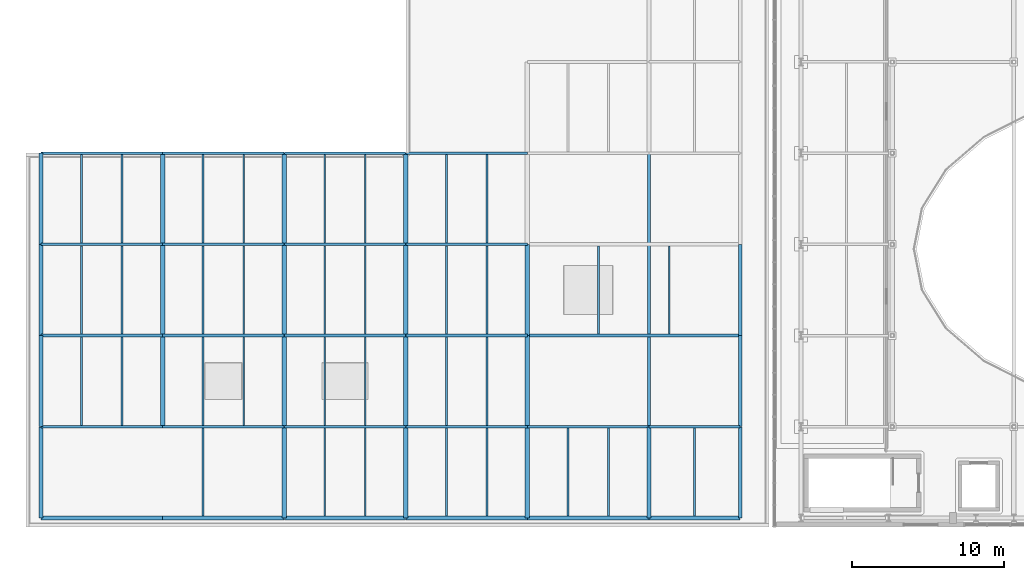
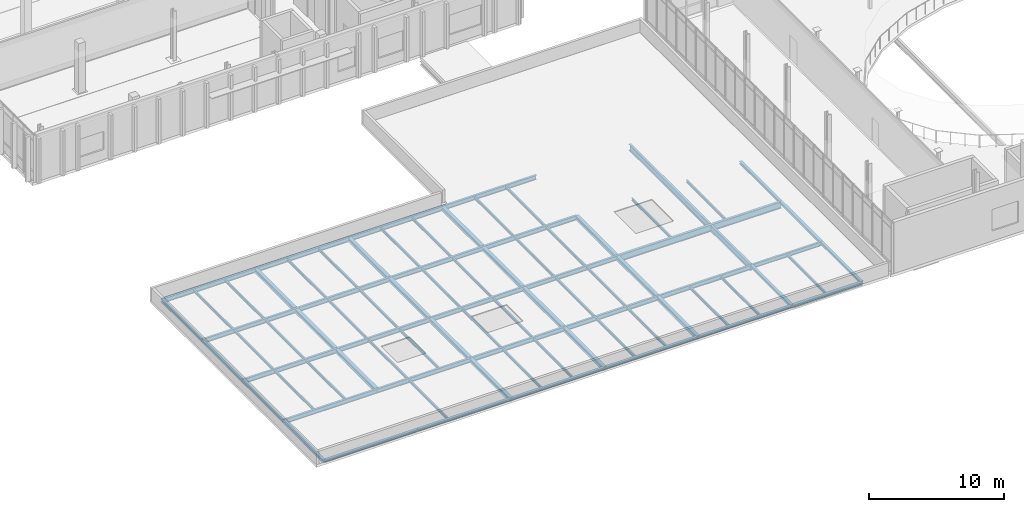
# One storey, part 12 of 86: 82 beams.
"""IFC4 building model written with IfcOpenShell, lengths in metres."""

from ifc_helpers import new_model, si_unit, direction, frame, origin, origin_2d, place, context, subcontext, project, spatial, i_section, extrude, material, material_profile, profile_set, type_object, element, save


model = new_model("IFC4")

# Units and contexts
model_context = context("Model", 3, precision=1e-05, world=origin(), true_north=direction((0.0, 1.0)))
body_context = subcontext(model_context, "Body", "Model", "MODEL_VIEW")
ifc_project = project(units=[si_unit("LENGTHUNIT", "METRE"), si_unit("AREAUNIT", "SQUARE_METRE"), si_unit("VOLUMEUNIT", "CUBIC_METRE"), si_unit("PLANEANGLEUNIT", "RADIAN"), si_unit("MASSUNIT", "GRAM", prefix="KILO")], contexts=[model_context])

# Site, building, storey
site_placement = place(None, origin())
site = spatial("IfcSite", under=ifc_project, at=site_placement, CompositionType="ELEMENT")
building_placement = place(site_placement, origin())
building = spatial("IfcBuilding", under=site, at=building_placement, Name="Cymarion Research Institute", CompositionType="ELEMENT")
storey_placement = place(building_placement, frame((0.0, 0.0, 13.800048828125)))
storey = spatial("IfcBuildingStorey", under=building, at=storey_placement, Name="L03", CompositionType="ELEMENT", Elevation=13.800048828125)

# Beams
ifc_material = material(Name="Steel S355", Category="steel")
ifc_material_profile_1 = material_profile(ifc_material, i_section(OverallWidth=0.219970703125, OverallDepth=0.60009765625, WebThickness=0.011962890625, FlangeThickness=0.01904296875, FilletRadius=0.02392578125, at=origin_2d()), Name="IPE 600")
ifc_profile_set_1 = profile_set([ifc_material_profile_1], Name="Steel S355")
beam_type_1 = type_object("IfcBeamType", Name="PRIMARY GIRDER BM01 IPE 600", PredefinedType="BEAM", material=ifc_profile_set_1)
beam_1_placement = place(storey_placement, frame((38.60595703125, 17.5, -0.5400390625), z_axis=(1.0, 0.0, 0.0), x_axis=(0.0, 1.0, 0.0)))
element("IfcBeam", 1, at=beam_1_placement, inside=storey, type_object=beam_type_1, Name="L03 V3 girder BM01 #1363", PredefinedType="BEAM", context=body_context, shape_type="SweptSolid", body=[
    extrude(i_section(OverallWidth=0.219970703125, OverallDepth=0.60009765625, WebThickness=0.011962890625, FlangeThickness=0.01904296875, FilletRadius=0.02392578125, at=origin_2d()), origin(), (0.0, 0.0, 1.0), 13.988037109375),
])
ifc_material_profile_2 = material_profile(ifc_material, i_section(OverallWidth=0.2099609375, OverallDepth=0.550048828125, WebThickness=0.010986328125, FlangeThickness=0.01708984375, FilletRadius=0.02392578125, at=origin_2d()), Name="IPE 550")
ifc_profile_set_2 = profile_set([ifc_material_profile_2], Name="Steel S355")
beam_type_2 = type_object("IfcBeamType", Name="PRIMARY GIRDER BM02 IPE 550", PredefinedType="BEAM", material=ifc_profile_set_2)
beam_2_placement = place(storey_placement, frame((46.60009765625, 11.506103515625, -0.51513671875), z_axis=(0.0, 1.0, 0.0), x_axis=(-1.0, 0.0, 0.0)))
element("IfcBeam", 2, at=beam_2_placement, inside=storey, type_object=beam_type_2, Name="L03 V3 girder BM02 #1404", PredefinedType="BEAM", context=body_context, shape_type="SweptSolid", body=[
    extrude(i_section(OverallWidth=0.2099609375, OverallDepth=0.550048828125, WebThickness=0.010986328125, FlangeThickness=0.01708984375, FilletRadius=0.02392578125, at=origin_2d()), origin(), (0.0, 0.0, 1.0), 17.98779296875),
])
ifc_material_profile_3 = material_profile(ifc_material, i_section(OverallWidth=0.179931640625, OverallDepth=0.39990234375, WebThickness=0.008544921875, FlangeThickness=0.013427734375, FilletRadius=0.02099609375, at=origin_2d()), Name="IPE 400")
ifc_profile_set_3 = profile_set([ifc_material_profile_3], Name="Steel S355")
beam_type_3 = type_object("IfcBeamType", Name="PRIMARY GIRDER BM05 IPE 400", PredefinedType="BEAM", material=ifc_profile_set_3)
for number, where, z_axis, x_axis, name in (
    (3, (6.60595703125, 11.5, -0.43994140625), (1.0, 0.0, 0.0), (0.0, 1.0, 0.0), "L03 V3 girder BM05 #1353"),
    (4, (14.60595703125, 11.5, -0.43994140625), (1.0, 0.0, 0.0), (0.0, 1.0, 0.0), "L03 V3 girder BM05 #1354"),
    (5, (22.60595703125, 11.5, -0.43994140625), (1.0, 0.0, 0.0), (0.0, 1.0, 0.0), "L03 V3 girder BM05 #1355"),
    (6, (30.60595703125, 11.5, -0.43994140625), (1.0, 0.0, 0.0), (0.0, 1.0, 0.0), "L03 V3 girder BM05 #1356"),
    (7, (38.60595703125, 11.5, -0.43994140625), (1.0, 0.0, 0.0), (0.0, 1.0, 0.0), "L03 V3 girder BM05 #1357"),
    (8, (6.60595703125, 17.5, -0.43994140625), (1.0, 0.0, 0.0), (0.0, 1.0, 0.0), "L03 V3 girder BM05 #1359"),
    (9, (14.60595703125, 17.5, -0.43994140625), (1.0, 0.0, 0.0), (0.0, 1.0, 0.0), "L03 V3 girder BM05 #1360"),
    (10, (22.60595703125, 17.5, -0.43994140625), (1.0, 0.0, 0.0), (0.0, 1.0, 0.0), "L03 V3 girder BM05 #1361"),
    (11, (30.60595703125, 17.5, -0.43994140625), (1.0, 0.0, 0.0), (0.0, 1.0, 0.0), "L03 V3 girder BM05 #1362"),
    (12, (6.60595703125, 23.5, -0.43994140625), (1.0, 0.0, 0.0), (0.0, 1.0, 0.0), "L03 V3 girder BM05 #1364"),
    (13, (14.60595703125, 23.5, -0.43994140625), (1.0, 0.0, 0.0), (0.0, 1.0, 0.0), "L03 V3 girder BM05 #1365"),
    (14, (22.60595703125, 23.5, -0.43994140625), (1.0, 0.0, 0.0), (0.0, 1.0, 0.0), "L03 V3 girder BM05 #1366"),
    (15, (30.60595703125, 23.5, -0.43994140625), (1.0, 0.0, 0.0), (0.0, 1.0, 0.0), "L03 V3 girder BM05 #1367"),
    (16, (6.60595703125, 29.5, -0.43994140625), (1.0, 0.0, 0.0), (0.0, 1.0, 0.0), "L03 V3 girder BM05 #1369"),
    (17, (14.60595703125, 29.5, -0.43994140625), (1.0, 0.0, 0.0), (0.0, 1.0, 0.0), "L03 V3 girder BM05 #1370"),
    (18, (22.60595703125, 29.5, -0.43994140625), (1.0, 0.0, 0.0), (0.0, 1.0, 0.0), "L03 V3 girder BM05 #1371"),
    (19, (30.60595703125, 29.5, -0.43994140625), (1.0, 0.0, 0.0), (0.0, 1.0, 0.0), "L03 V3 girder BM05 #1372"),
):
    element("IfcBeam", number, at=place(storey_placement, frame(where, z_axis=z_axis, x_axis=x_axis)), inside=storey, type_object=beam_type_3, Name=name, PredefinedType="BEAM", context=body_context, shape_type="SweptSolid", body=[
        extrude(i_section(OverallWidth=0.179931640625, OverallDepth=0.39990234375, WebThickness=0.008544921875, FlangeThickness=0.013427734375, FilletRadius=0.02099609375, at=origin_2d()), origin(), (0.0, 0.0, 1.0), 7.988037109375),
    ])
ifc_material_profile_4 = material_profile(ifc_material, i_section(OverallWidth=0.169921875, OverallDepth=0.360107421875, WebThickness=0.008056640625, FlangeThickness=0.0126953125, FilletRadius=0.01806640625, at=origin_2d()), Name="IPE 360")
ifc_profile_set_4 = profile_set([ifc_material_profile_4], Name="Steel S355")
beam_type_4 = type_object("IfcBeamType", Name="PRIMARY GIRDER BM06 IPE 360", PredefinedType="BEAM", material=ifc_profile_set_4)
beam_3_placement = place(storey_placement, frame((46.60595703125, 11.5, -0.420166015625), z_axis=(1.0, 0.0, 0.0), x_axis=(0.0, 1.0, 0.0)))
element("IfcBeam", 20, at=beam_3_placement, inside=storey, type_object=beam_type_4, Name="L03 V3 girder BM06 #1358", PredefinedType="BEAM", context=body_context, shape_type="SweptSolid", body=[
    extrude(i_section(OverallWidth=0.169921875, OverallDepth=0.360107421875, WebThickness=0.008056640625, FlangeThickness=0.0126953125, FilletRadius=0.01806640625, at=origin_2d()), origin(), (0.0, 0.0, 1.0), 5.988037109375),
])
ifc_material_profile_5 = material_profile(ifc_material, i_section(OverallWidth=0.300048828125, OverallDepth=0.35009765625, WebThickness=0.010009765625, FlangeThickness=0.017578125, FilletRadius=0.027099609375, at=origin_2d()), Name="HEA 360")
ifc_profile_set_5 = profile_set([ifc_material_profile_5], Name="Steel S355")
beam_type_5 = type_object("IfcBeamType", Name="PRIMARY GIRDER BM12 HEA 360", PredefinedType="BEAM", material=ifc_profile_set_5)
for number, where, z_axis, x_axis, name in (
    (21, (14.60009765625, 11.506103515625, -0.4150390625), (0.0, 1.0, 0.0), (-1.0, 0.0, 0.0), "L03 V3 girder BM12 #1385"),
    (22, (14.60009765625, 17.506103515625, -0.4150390625), (0.0, 1.0, 0.0), (-1.0, 0.0, 0.0), "L03 V3 girder BM12 #1386"),
    (23, (14.60009765625, 23.506103515625, -0.4150390625), (0.0, 1.0, 0.0), (-1.0, 0.0, 0.0), "L03 V3 girder BM12 #1387"),
    (24, (22.60009765625, 5.506103515625, -0.4150390625), (0.0, 1.0, 0.0), (-1.0, 0.0, 0.0), "L03 V3 girder BM12 #1388"),
    (25, (22.60009765625, 11.506103515625, -0.4150390625), (0.0, 1.0, 0.0), (-1.0, 0.0, 0.0), "L03 V3 girder BM12 #1389"),
    (26, (22.60009765625, 17.506103515625, -0.4150390625), (0.0, 1.0, 0.0), (-1.0, 0.0, 0.0), "L03 V3 girder BM12 #1390"),
    (27, (22.60009765625, 23.506103515625, -0.4150390625), (0.0, 1.0, 0.0), (-1.0, 0.0, 0.0), "L03 V3 girder BM12 #1391"),
    (28, (30.60009765625, 5.506103515625, -0.4150390625), (0.0, 1.0, 0.0), (-1.0, 0.0, 0.0), "L03 V3 girder BM12 #1392"),
    (29, (30.60009765625, 11.506103515625, -0.4150390625), (0.0, 1.0, 0.0), (-1.0, 0.0, 0.0), "L03 V3 girder BM12 #1393"),
    (30, (30.60009765625, 17.506103515625, -0.4150390625), (0.0, 1.0, 0.0), (-1.0, 0.0, 0.0), "L03 V3 girder BM12 #1394"),
    (31, (30.60009765625, 23.506103515625, -0.4150390625), (0.0, 1.0, 0.0), (-1.0, 0.0, 0.0), "L03 V3 girder BM12 #1395"),
    (32, (38.60009765625, 5.506103515625, -0.4150390625), (0.0, 1.0, 0.0), (-1.0, 0.0, 0.0), "L03 V3 girder BM12 #1396"),
    (33, (38.60009765625, 11.506103515625, -0.4150390625), (0.0, 1.0, 0.0), (-1.0, 0.0, 0.0), "L03 V3 girder BM12 #1397"),
    (34, (38.60009765625, 17.506103515625, -0.4150390625), (0.0, 1.0, 0.0), (-1.0, 0.0, 0.0), "L03 V3 girder BM12 #1398"),
):
    element("IfcBeam", number, at=place(storey_placement, frame(where, z_axis=z_axis, x_axis=x_axis)), inside=storey, type_object=beam_type_5, Name=name, PredefinedType="BEAM", context=body_context, shape_type="SweptSolid", body=[
        extrude(i_section(OverallWidth=0.300048828125, OverallDepth=0.35009765625, WebThickness=0.010009765625, FlangeThickness=0.017578125, FilletRadius=0.027099609375, at=origin_2d()), origin(), (0.0, 0.0, 1.0), 5.98779296875),
    ])
ifc_material_profile_6 = material_profile(ifc_material, i_section(OverallWidth=0.1201171875, OverallDepth=0.239990234375, WebThickness=0.006103515625, FlangeThickness=0.009765625, FilletRadius=0.014892578125, at=origin_2d()), Name="IPE 240")
ifc_profile_set_6 = profile_set([ifc_material_profile_6], Name="Steel S355")
beam_type_6 = type_object("IfcBeamType", Name="SECONDARY JOIST JS04 IPE 240", PredefinedType="JOIST", material=ifc_profile_set_6)
for number, where, z_axis, x_axis, name in (
    (35, (17.2666015625, 5.6240234375, -0.360107421875), (0.0, 1.0, 0.0), (-1.0, 0.0, 0.0), "L03 V3 secondary joist JS04 #1413"),
    (36, (25.2666015625, 5.6240234375, -0.360107421875), (0.0, 1.0, 0.0), (-1.0, 0.0, 0.0), "L03 V3 secondary joist JS04 #1414"),
    (37, (27.933349609375, 5.6240234375, -0.360107421875), (0.0, 1.0, 0.0), (-1.0, 0.0, 0.0), "L03 V3 secondary joist JS04 #1415"),
    (38, (33.2666015625, 5.6240234375, -0.360107421875), (0.0, 1.0, 0.0), (-1.0, 0.0, 0.0), "L03 V3 secondary joist JS04 #1416"),
    (39, (35.933349609375, 5.6240234375, -0.360107421875), (0.0, 1.0, 0.0), (-1.0, 0.0, 0.0), "L03 V3 secondary joist JS04 #1417"),
    (40, (41.2666015625, 5.6240234375, -0.360107421875), (0.0, 1.0, 0.0), (-1.0, 0.0, 0.0), "L03 V3 secondary joist JS04 #1418"),
    (41, (43.933349609375, 5.6240234375, -0.360107421875), (0.0, 1.0, 0.0), (-1.0, 0.0, 0.0), "L03 V3 secondary joist JS04 #1419"),
):
    element("IfcBeam", number, at=place(storey_placement, frame(where, z_axis=z_axis, x_axis=x_axis)), inside=storey, type_object=beam_type_6, Name=name, PredefinedType="JOIST", context=body_context, shape_type="SweptSolid", body=[
        extrude(i_section(OverallWidth=0.1201171875, OverallDepth=0.239990234375, WebThickness=0.006103515625, FlangeThickness=0.009765625, FilletRadius=0.014892578125, at=origin_2d()), origin(), (0.0, 0.0, 1.0), 5.781982421875),
    ])
beam_4_placement = place(storey_placement, frame((49.60009765625, 5.64404296875, -0.360107421875), z_axis=(0.0, 1.0, 0.0), x_axis=(-1.0, 0.0, 0.0)))
element("IfcBeam", 42, at=beam_4_placement, inside=storey, type_object=beam_type_6, Name="L03 V3 secondary joist JS04 #1420", PredefinedType="JOIST", context=body_context, shape_type="SweptSolid", body=[
    extrude(i_section(OverallWidth=0.1201171875, OverallDepth=0.239990234375, WebThickness=0.006103515625, FlangeThickness=0.009765625, FilletRadius=0.014892578125, at=origin_2d()), origin(), (0.0, 0.0, 1.0), 5.766845703125),
])
for number, where, z_axis, x_axis, name in (
    (43, (9.2666015625, 11.593994140625, -0.360107421875), (0.0, 1.0, 0.0), (-1.0, 0.0, 0.0), "L03 V3 secondary joist JS04 #1421"),
    (44, (11.933349609375, 11.593994140625, -0.360107421875), (0.0, 1.0, 0.0), (-1.0, 0.0, 0.0), "L03 V3 secondary joist JS04 #1422"),
    (45, (17.2666015625, 11.593994140625, -0.360107421875), (0.0, 1.0, 0.0), (-1.0, 0.0, 0.0), "L03 V3 secondary joist JS04 #1423"),
    (46, (19.933349609375, 11.593994140625, -0.360107421875), (0.0, 1.0, 0.0), (-1.0, 0.0, 0.0), "L03 V3 secondary joist JS04 #1424"),
    (47, (25.2666015625, 11.593994140625, -0.360107421875), (0.0, 1.0, 0.0), (-1.0, 0.0, 0.0), "L03 V3 secondary joist JS04 #1425"),
    (48, (27.933349609375, 11.593994140625, -0.360107421875), (0.0, 1.0, 0.0), (-1.0, 0.0, 0.0), "L03 V3 secondary joist JS04 #1426"),
    (49, (33.2666015625, 11.593994140625, -0.360107421875), (0.0, 1.0, 0.0), (-1.0, 0.0, 0.0), "L03 V3 secondary joist JS04 #1427"),
    (50, (35.933349609375, 11.593994140625, -0.360107421875), (0.0, 1.0, 0.0), (-1.0, 0.0, 0.0), "L03 V3 secondary joist JS04 #1428"),
    (51, (9.2666015625, 17.593994140625, -0.360107421875), (0.0, 1.0, 0.0), (-1.0, 0.0, 0.0), "L03 V3 secondary joist JS04 #1429"),
    (52, (11.933349609375, 17.593994140625, -0.360107421875), (0.0, 1.0, 0.0), (-1.0, 0.0, 0.0), "L03 V3 secondary joist JS04 #1430"),
    (53, (17.2666015625, 17.593994140625, -0.360107421875), (0.0, 1.0, 0.0), (-1.0, 0.0, 0.0), "L03 V3 secondary joist JS04 #1431"),
    (54, (19.933349609375, 17.593994140625, -0.360107421875), (0.0, 1.0, 0.0), (-1.0, 0.0, 0.0), "L03 V3 secondary joist JS04 #1432"),
    (55, (25.2666015625, 17.593994140625, -0.360107421875), (0.0, 1.0, 0.0), (-1.0, 0.0, 0.0), "L03 V3 secondary joist JS04 #1433"),
    (56, (27.933349609375, 17.593994140625, -0.360107421875), (0.0, 1.0, 0.0), (-1.0, 0.0, 0.0), "L03 V3 secondary joist JS04 #1434"),
    (57, (33.2666015625, 17.593994140625, -0.360107421875), (0.0, 1.0, 0.0), (-1.0, 0.0, 0.0), "L03 V3 secondary joist JS04 #1435"),
    (58, (35.933349609375, 17.593994140625, -0.360107421875), (0.0, 1.0, 0.0), (-1.0, 0.0, 0.0), "L03 V3 secondary joist JS04 #1436"),
):
    element("IfcBeam", number, at=place(storey_placement, frame(where, z_axis=z_axis, x_axis=x_axis)), inside=storey, type_object=beam_type_6, Name=name, PredefinedType="JOIST", context=body_context, shape_type="SweptSolid", body=[
        extrude(i_section(OverallWidth=0.1201171875, OverallDepth=0.239990234375, WebThickness=0.006103515625, FlangeThickness=0.009765625, FilletRadius=0.014892578125, at=origin_2d()), origin(), (0.0, 0.0, 1.0), 5.81201171875),
    ])
for number, where, z_axis, x_axis, name in (
    (59, (43.2666015625, 17.614013671875, -0.360107421875), (0.0, 1.0, 0.0), (-1.0, 0.0, 0.0), "L03 V3 secondary joist JS04 #1437"),
    (60, (47.933349609375, 17.614013671875, -0.360107421875), (0.0, 1.0, 0.0), (-1.0, 0.0, 0.0), "L03 V3 secondary joist JS04 #1438"),
):
    element("IfcBeam", number, at=place(storey_placement, frame(where, z_axis=z_axis, x_axis=x_axis)), inside=storey, type_object=beam_type_6, Name=name, PredefinedType="JOIST", context=body_context, shape_type="SweptSolid", body=[
        extrude(i_section(OverallWidth=0.1201171875, OverallDepth=0.239990234375, WebThickness=0.006103515625, FlangeThickness=0.009765625, FilletRadius=0.014892578125, at=origin_2d()), origin(), (0.0, 0.0, 1.0), 5.77197265625),
    ])
for number, where, z_axis, x_axis, name in (
    (61, (9.2666015625, 23.593994140625, -0.360107421875), (0.0, 1.0, 0.0), (-1.0, 0.0, 0.0), "L03 V3 secondary joist JS04 #1439"),
    (62, (11.933349609375, 23.593994140625, -0.360107421875), (0.0, 1.0, 0.0), (-1.0, 0.0, 0.0), "L03 V3 secondary joist JS04 #1440"),
    (63, (17.2666015625, 23.593994140625, -0.360107421875), (0.0, 1.0, 0.0), (-1.0, 0.0, 0.0), "L03 V3 secondary joist JS04 #1441"),
    (64, (19.933349609375, 23.593994140625, -0.360107421875), (0.0, 1.0, 0.0), (-1.0, 0.0, 0.0), "L03 V3 secondary joist JS04 #1442"),
    (65, (25.2666015625, 23.593994140625, -0.360107421875), (0.0, 1.0, 0.0), (-1.0, 0.0, 0.0), "L03 V3 secondary joist JS04 #1443"),
    (66, (27.933349609375, 23.593994140625, -0.360107421875), (0.0, 1.0, 0.0), (-1.0, 0.0, 0.0), "L03 V3 secondary joist JS04 #1444"),
    (67, (33.2666015625, 23.593994140625, -0.360107421875), (0.0, 1.0, 0.0), (-1.0, 0.0, 0.0), "L03 V3 secondary joist JS04 #1445"),
    (68, (35.933349609375, 23.593994140625, -0.360107421875), (0.0, 1.0, 0.0), (-1.0, 0.0, 0.0), "L03 V3 secondary joist JS04 #1446"),
):
    element("IfcBeam", number, at=place(storey_placement, frame(where, z_axis=z_axis, x_axis=x_axis)), inside=storey, type_object=beam_type_6, Name=name, PredefinedType="JOIST", context=body_context, shape_type="SweptSolid", body=[
        extrude(i_section(OverallWidth=0.1201171875, OverallDepth=0.239990234375, WebThickness=0.006103515625, FlangeThickness=0.009765625, FilletRadius=0.014892578125, at=origin_2d()), origin(), (0.0, 0.0, 1.0), 5.81201171875),
    ])
ifc_material_profile_7 = material_profile(ifc_material, i_section(OverallWidth=0.280029296875, OverallDepth=0.27001953125, WebThickness=0.008056640625, FlangeThickness=0.012939453125, FilletRadius=0.02392578125, at=origin_2d()), Name="HEA 280")
ifc_profile_set_7 = profile_set([ifc_material_profile_7], Name="Steel S355")
beam_type_7 = type_object("IfcBeamType", Name="SPANDREL BEAM SPB02 HEA 280", PredefinedType="SPANDREL", material=ifc_profile_set_7)
beam_5_placement = place(storey_placement, frame((46.60595703125, 5.5, -0.375), z_axis=(1.0, 0.0, 0.0), x_axis=(0.0, 1.0, 0.0)))
element("IfcBeam", 69, at=beam_5_placement, inside=storey, type_object=beam_type_7, Name="L03 V3 girder SPB02 #1352", PredefinedType="SPANDREL", context=body_context, shape_type="SweptSolid", body=[
    extrude(i_section(OverallWidth=0.280029296875, OverallDepth=0.27001953125, WebThickness=0.008056640625, FlangeThickness=0.012939453125, FilletRadius=0.02392578125, at=origin_2d()), origin(), (0.0, 0.0, 1.0), 5.988037109375),
])
ifc_material_profile_8 = material_profile(ifc_material, i_section(OverallWidth=0.239990234375, OverallDepth=0.22998046875, WebThickness=0.007568359375, FlangeThickness=0.011962890625, FilletRadius=0.02099609375, at=origin_2d()), Name="HEA 240")
ifc_profile_set_8 = profile_set([ifc_material_profile_8], Name="Steel S355")
beam_type_8 = type_object("IfcBeamType", Name="SPANDREL BEAM SPB03 HEA 240", PredefinedType="SPANDREL", material=ifc_profile_set_8)
for number, where, z_axis, x_axis, name in (
    (70, (6.60595703125, 5.5, -0.35498046875), (1.0, 0.0, 0.0), (0.0, 1.0, 0.0), "L03 V3 girder SPB03 #1347"),
    (71, (14.60595703125, 5.5, -0.35498046875), (1.0, 0.0, 0.0), (0.0, 1.0, 0.0), "L03 V3 girder SPB03 #1348"),
    (72, (22.60595703125, 5.5, -0.35498046875), (1.0, 0.0, 0.0), (0.0, 1.0, 0.0), "L03 V3 girder SPB03 #1349"),
    (73, (30.60595703125, 5.5, -0.35498046875), (1.0, 0.0, 0.0), (0.0, 1.0, 0.0), "L03 V3 girder SPB03 #1350"),
    (74, (38.60595703125, 5.5, -0.35498046875), (1.0, 0.0, 0.0), (0.0, 1.0, 0.0), "L03 V3 girder SPB03 #1351"),
):
    element("IfcBeam", number, at=place(storey_placement, frame(where, z_axis=z_axis, x_axis=x_axis)), inside=storey, type_object=beam_type_8, Name=name, PredefinedType="SPANDREL", context=body_context, shape_type="SweptSolid", body=[
        extrude(i_section(OverallWidth=0.239990234375, OverallDepth=0.22998046875, WebThickness=0.007568359375, FlangeThickness=0.011962890625, FilletRadius=0.02099609375, at=origin_2d()), origin(), (0.0, 0.0, 1.0), 7.988037109375),
    ])
for number, where, z_axis, x_axis, name in (
    (75, (6.60009765625, 5.506103515625, -0.35498046875), (0.0, 1.0, 0.0), (-1.0, 0.0, 0.0), "L03 V3 girder SPB03 #1381"),
    (76, (6.60009765625, 11.506103515625, -0.35498046875), (0.0, 1.0, 0.0), (-1.0, 0.0, 0.0), "L03 V3 girder SPB03 #1382"),
    (77, (6.60009765625, 17.506103515625, -0.35498046875), (0.0, 1.0, 0.0), (-1.0, 0.0, 0.0), "L03 V3 girder SPB03 #1383"),
    (78, (6.60009765625, 23.506103515625, -0.35498046875), (0.0, 1.0, 0.0), (-1.0, 0.0, 0.0), "L03 V3 girder SPB03 #1384"),
    (79, (46.60009765625, 5.506103515625, -0.35498046875), (0.0, 1.0, 0.0), (-1.0, 0.0, 0.0), "L03 V3 girder SPB03 #1403"),
    (80, (52.60009765625, 5.506103515625, -0.35498046875), (0.0, 1.0, 0.0), (-1.0, 0.0, 0.0), "L03 V3 girder SPB03 #1407"),
    (81, (52.60009765625, 11.506103515625, -0.35498046875), (0.0, 1.0, 0.0), (-1.0, 0.0, 0.0), "L03 V3 girder SPB03 #1408"),
    (82, (52.60009765625, 17.506103515625, -0.35498046875), (0.0, 1.0, 0.0), (-1.0, 0.0, 0.0), "L03 V3 girder SPB03 #1409"),
):
    element("IfcBeam", number, at=place(storey_placement, frame(where, z_axis=z_axis, x_axis=x_axis)), inside=storey, type_object=beam_type_8, Name=name, PredefinedType="SPANDREL", context=body_context, shape_type="SweptSolid", body=[
        extrude(i_section(OverallWidth=0.239990234375, OverallDepth=0.22998046875, WebThickness=0.007568359375, FlangeThickness=0.011962890625, FilletRadius=0.02099609375, at=origin_2d()), origin(), (0.0, 0.0, 1.0), 5.98779296875),
    ])

save(model, "model.ifc")
